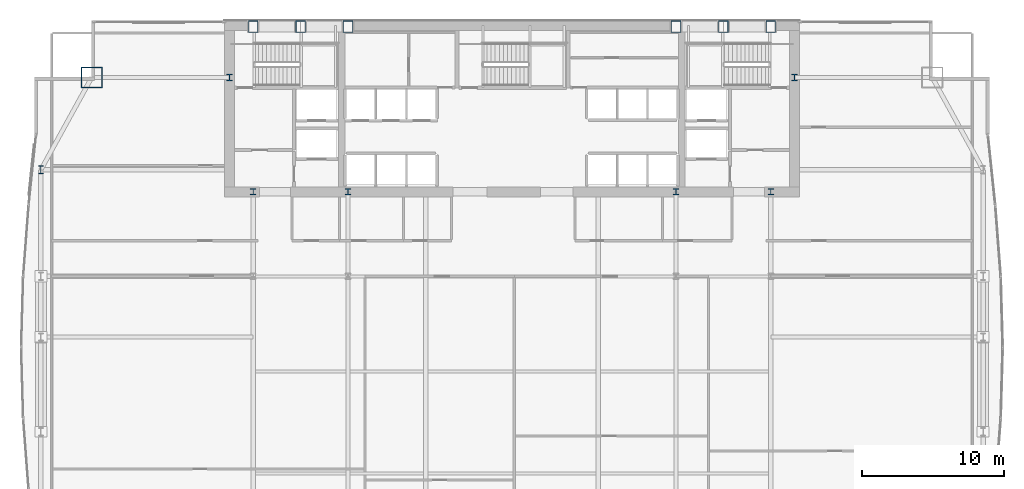
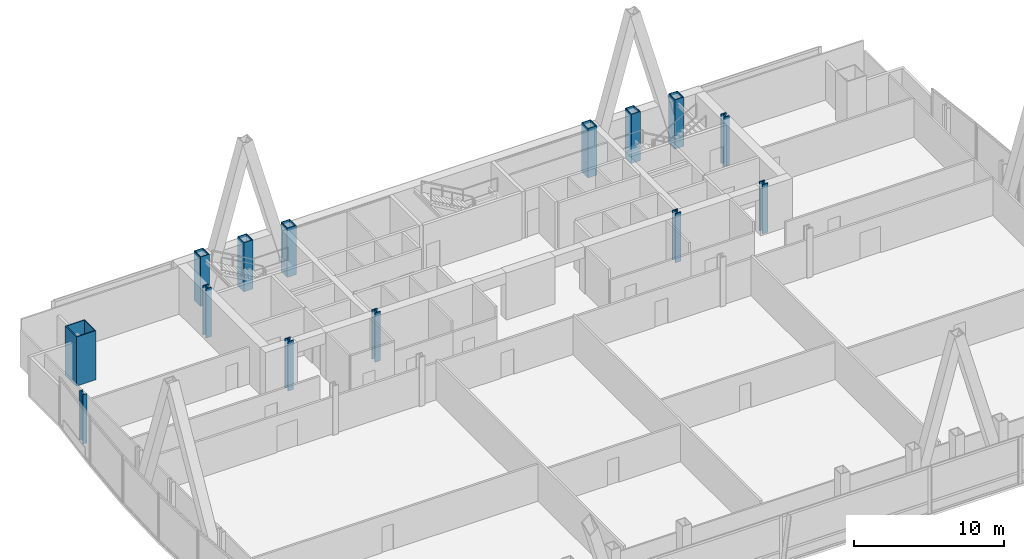
# One storey, part 3 of 32: 14 columns.
"""IFC4 building model written with IfcOpenShell, lengths in metres."""

from ifc_helpers import new_model, si_unit, direction, frame, origin, origin_2d, place, context, subcontext, project, spatial, hollow_rectangle, i_section, extrude, material, material_profile, profile_set, type_object, element, save


model = new_model("IFC4")

# Units and contexts
model_context = context("Model", 3, precision=1e-05, world=origin(), true_north=direction((0.0, 1.0)))
body_context = subcontext(model_context, "Body", "Model", "MODEL_VIEW")
ifc_project = project(units=[si_unit("LENGTHUNIT", "METRE"), si_unit("AREAUNIT", "SQUARE_METRE"), si_unit("VOLUMEUNIT", "CUBIC_METRE"), si_unit("PLANEANGLEUNIT", "RADIAN"), si_unit("MASSUNIT", "GRAM", prefix="KILO")], contexts=[model_context])

# Site, building, storey
site_placement = place(None, origin())
site = spatial("IfcSite", under=ifc_project, at=site_placement, CompositionType="ELEMENT")
building_placement = place(site_placement, origin())
building = spatial("IfcBuilding", under=site, at=building_placement, Name="Khoronbel Lancet Exchange", CompositionType="ELEMENT")
storey_placement = place(building_placement, frame((0.0, 0.0, 94.60009765625)))
storey = spatial("IfcBuildingStorey", under=building, at=storey_placement, Name="L22", CompositionType="ELEMENT", Elevation=94.60009765625)

# Columns
ifc_material_1 = material(Name="Steel S460", Category="steel")
ifc_material_profile_1 = material_profile(ifc_material_1, hollow_rectangle(XDim=0.699951171875, YDim=0.85009765625, WallThickness=0.050048828125, at=origin_2d()), Name="BOX 850x700x50")
ifc_profile_set_1 = profile_set([ifc_material_profile_1], Name="Steel S460")
column_type_1 = type_object("IfcColumnType", Name="COL-EC2", PredefinedType="COLUMN", material=ifc_profile_set_1)
for number, where, z_axis, x_axis, name in (
    (1, (18.22509765625, 53.280029296875, 0.0), (0.0, 0.0, 1.0), (1.0, 0.0, 0.0), "Structural column NC-W1 L22"),
    (2, (21.5625, 53.280029296875, 0.0), (0.0, 0.0, 1.0), (1.0, 0.0, 0.0), "Structural column NC-WM L22"),
    (3, (24.89990234375, 53.280029296875, 0.0), (0.0, 0.0, 1.0), (1.0, 0.0, 0.0), "Structural column NC-W2 L22"),
    (4, (48.0, 53.280029296875, 0.0), (0.0, 0.0, 1.0), (1.0, 0.0, 0.0), "Structural column NC-E1 L22"),
    (5, (51.33740234375, 53.280029296875, 0.0), (0.0, 0.0, 1.0), (1.0, 0.0, 0.0), "Structural column NC-EM L22"),
    (6, (54.675048828125, 53.280029296875, 0.0), (0.0, 0.0, 1.0), (1.0, 0.0, 0.0), "Structural column NC-E2 L22"),
):
    element("IfcColumn", number, at=place(storey_placement, frame(where, z_axis=z_axis, x_axis=x_axis)), inside=storey, type_object=column_type_1, Name=name, PredefinedType="COLUMN", context=body_context, shape_type="SweptSolid", body=[
        extrude(hollow_rectangle(XDim=0.699951171875, YDim=0.85009765625, WallThickness=0.050048828125, at=origin_2d()), origin(), (0.0, 0.0, 1.0), 4.0),
    ])
ifc_material_profile_2 = material_profile(ifc_material_1, i_section(OverallWidth=0.424072265625, OverallDepth=0.47412109375, WebThickness=0.047607421875, FlangeThickness=0.076904296875, at=origin_2d()), Name="HD 400x634")
ifc_profile_set_2 = profile_set([ifc_material_profile_2], Name="Steel S460")
column_type_2 = type_object("IfcColumnType", Name="COL-IC1", PredefinedType="COLUMN", material=ifc_profile_set_2)
for number, where, z_axis, x_axis, name in (
    (7, (16.550048828125, 49.699951171875, 0.0), (0.0, 0.0, 1.0), (1.0, 0.0, 0.0), "Core-flank plumb transfer column CFW L22"),
    (8, (56.35009765625, 49.699951171875, 0.0), (0.0, 0.0, 1.0), (1.0, 0.0, 0.0), "Core-flank plumb transfer column CFE L22"),
    (9, (18.22509765625, 41.64990234375, 0.0), (0.0, 0.0, 1.0), (1.0, 0.0, 0.0), "Core-embedded steel column CTC1 L22"),
    (10, (24.89990234375, 41.64990234375, 0.0), (0.0, 0.0, 1.0), (1.0, 0.0, 0.0), "Core-embedded steel column CTC2 L22"),
    (11, (48.0, 41.64990234375, 0.0), (0.0, 0.0, 1.0), (1.0, 0.0, 0.0), "Core-embedded steel column CTC3 L22"),
    (12, (54.675048828125, 41.64990234375, 0.0), (0.0, 0.0, 1.0), (1.0, 0.0, 0.0), "Core-embedded steel column CTC4 L22"),
):
    element("IfcColumn", number, at=place(storey_placement, frame(where, z_axis=z_axis, x_axis=x_axis)), inside=storey, type_object=column_type_2, Name=name, PredefinedType="COLUMN", context=body_context, shape_type="SweptSolid", body=[
        extrude(i_section(OverallWidth=0.424072265625, OverallDepth=0.47412109375, WebThickness=0.047607421875, FlangeThickness=0.076904296875, at=origin_2d()), origin(), (0.0, 0.0, 1.0), 4.0),
    ])
ifc_material_2 = material(Name="Steel S355", Category="steel")
ifc_material_profile_3 = material_profile(ifc_material_2, i_section(OverallWidth=0.300048828125, OverallDepth=0.550048828125, WebThickness=0.014892578125, FlangeThickness=0.029052734375, at=origin_2d()), Name="HEB 550")
ifc_profile_set_3 = profile_set([ifc_material_profile_3], Name="Steel S355")
column_type_3 = type_object("IfcColumnType", Name="COL-LC1", PredefinedType="COLUMN", material=ifc_profile_set_3)
column_1_placement = place(storey_placement, frame((3.27001953125, 43.199951171875, 0.0), z_axis=(0.0, 0.0, 1.0), x_axis=(1.0, 0.0, 0.0)))
element("IfcColumn", 13, at=column_1_placement, inside=storey, type_object=column_type_3, Name="Structural column WC-4 L22", PredefinedType="COLUMN", context=body_context, shape_type="SweptSolid", body=[
    extrude(i_section(OverallWidth=0.300048828125, OverallDepth=0.550048828125, WebThickness=0.014892578125, FlangeThickness=0.029052734375, at=origin_2d()), origin(), (0.0, 0.0, 1.0), 4.0),
])
ifc_material_profile_4 = material_profile(ifc_material_1, hollow_rectangle(XDim=1.5, YDim=1.5, WallThickness=0.070068359375, at=origin_2d()), Name="BOX 1500x1500x70")
ifc_profile_set_4 = profile_set([ifc_material_profile_4], Name="Steel S460")
column_type_4 = type_object("IfcColumnType", Name="COL-MC3", PredefinedType="COLUMN", material=ifc_profile_set_4)
column_2_placement = place(storey_placement, frame((6.85009765625, 49.699951171875, 0.0), z_axis=(0.0, 0.0, 1.0), x_axis=(1.0, 0.0, 0.0)))
element("IfcColumn", 14, at=column_2_placement, inside=storey, type_object=column_type_4, Name="Structural column MC-NW L22", PredefinedType="COLUMN", context=body_context, shape_type="SweptSolid", body=[
    extrude(hollow_rectangle(XDim=1.5, YDim=1.5, WallThickness=0.070068359375, at=origin_2d()), origin(), (0.0, 0.0, 1.0), 4.0),
])

save(model, "model.ifc")
